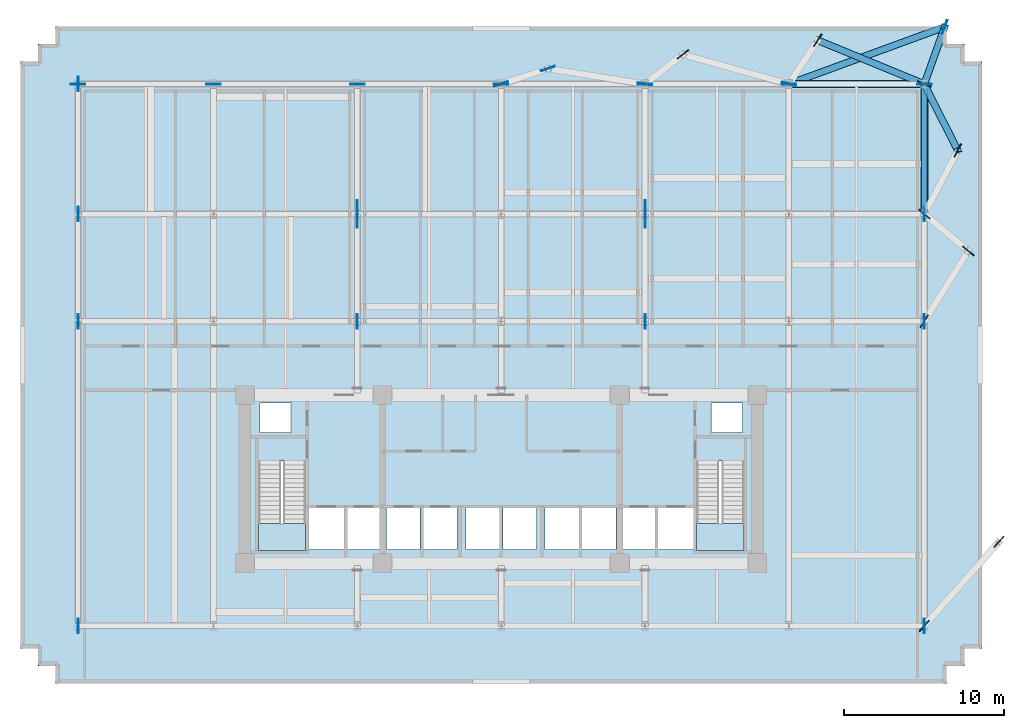
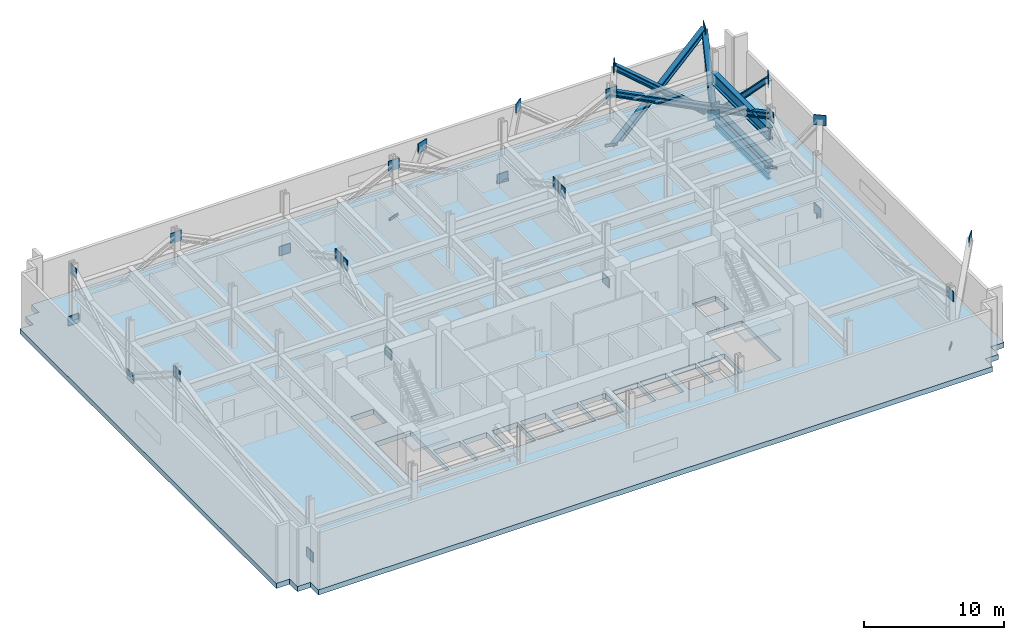
# One storey, part 4 of 9: 34 plates, 7 members, 3 slabs, 2 beams, 2 elements without a shape of their own.
"""IFC4 building model written with IfcOpenShell, lengths in metres."""

from ifc_helpers import new_model, si_unit, direction, frame, origin, origin_2d, place, context, subcontext, project, spatial, polyline, rectangle, i_section, outline, extrude, material, layer, layer_set, material_profile, profile_set, type_object, element, aggregate, save


model = new_model("IFC4")

# Units and contexts
model_context = context("Model", 3, precision=1e-05, world=origin(), true_north=direction((0.0, 1.0)))
body_context = subcontext(model_context, "Body", "Model", "MODEL_VIEW")
ifc_project = project(units=[si_unit("LENGTHUNIT", "METRE"), si_unit("AREAUNIT", "SQUARE_METRE"), si_unit("VOLUMEUNIT", "CUBIC_METRE"), si_unit("PLANEANGLEUNIT", "RADIAN"), si_unit("MASSUNIT", "GRAM", prefix="KILO")], contexts=[model_context])

# Site, building, storey
site_placement = place(None, origin())
site = spatial("IfcSite", under=ifc_project, at=site_placement, CompositionType="ELEMENT")
building_placement = place(site_placement, origin())
building = spatial("IfcBuilding", under=site, at=building_placement, Name="Solmavex Isthmus Hotel", CompositionType="ELEMENT")
storey_placement = place(building_placement, frame((0.0, 0.0, 74.699951171875)))
storey = spatial("IfcBuildingStorey", under=building, at=storey_placement, Name="L20", CompositionType="ELEMENT", Elevation=74.699951171875)

# Beams
ifc_material_1 = material(Name="Steel ASTM A992 Grade 50", Category="steel")
ifc_material_profile_1 = material_profile(ifc_material_1, i_section(OverallWidth=0.326416015625, OverallDepth=0.621826171875, WebThickness=0.015380859375, FlangeThickness=0.0244140625, FilletRadius=0.01513671875, at=origin_2d()), Name="W24X131")
ifc_profile_set_1 = profile_set([ifc_material_profile_1], Name="Steel ASTM A992 Grade 50")
beam_type_1 = type_object("IfcBeamType", Name="BM-SP-W24X131", PredefinedType="SPANDREL", material=ifc_profile_set_1)
beam_1_placement = place(storey_placement, frame((26.39990234375, 8.96533203125, -0.7607421875), z_axis=(0.0, 1.0, 0.0), x_axis=(-1.0, 0.0, 0.0)))
element("IfcBeam", 1, at=beam_1_placement, inside=storey, type_object=beam_type_1, Name="Floor Beam L20-VG48", PredefinedType="SPANDREL", context=body_context, shape_type="SweptSolid", body=[
    extrude(i_section(OverallWidth=0.326416015625, OverallDepth=0.621826171875, WebThickness=0.015380859375, FlangeThickness=0.0244140625, FilletRadius=0.01513671875, at=origin_2d()), origin(), (0.0, 0.0, 1.0), 7.771484375),
])
ifc_material_2 = material(Name="Steel ASTM A913 Grade 65", Category="steel")
ifc_material_profile_2 = material_profile(ifc_material_2, i_section(OverallWidth=0.409423828125, OverallDepth=1.036376953125, WebThickness=0.031005859375, FlangeThickness=0.055908203125, FilletRadius=0.030517578125, at=origin_2d()), Name="W40X397")
ifc_profile_set_2 = profile_set([ifc_material_profile_2], Name="Steel ASTM A913 Grade 65")
beam_type_2 = type_object("IfcBeamType", Name="BM-TB-W40X397B", PredefinedType="BEAM", material=ifc_profile_set_2)
beam_2_placement = place(storey_placement, frame((26.39990234375, 8.7880859375, 3.052001953125), z_axis=(0.0, 1.0, 0.0), x_axis=(-1.0, 0.0, 0.0)))
element("IfcBeam", 2, at=beam_2_placement, inside=storey, type_object=beam_type_2, Name="Horizontal Transfer Carrier Girder L20-XLC24", PredefinedType="BEAM", context=body_context, shape_type="SweptSolid", body=[
    extrude(i_section(OverallWidth=0.409423828125, OverallDepth=1.036376953125, WebThickness=0.031005859375, FlangeThickness=0.055908203125, FilletRadius=0.030517578125, at=origin_2d()), origin(), (0.0, 0.0, 1.0), 8.11181640625),
])

# Members
ifc_material_profile_3 = material_profile(ifc_material_2, i_section(OverallWidth=0.412109375, OverallDepth=0.434814453125, WebThickness=0.035888671875, FlangeThickness=0.057373046875, FilletRadius=0.030517578125, at=origin_2d()), Name="W14X311")
ifc_profile_set_3 = profile_set([ifc_material_profile_3], Name="Steel ASTM A913 Grade 65")
member_type_1 = type_object("IfcMemberType", Name="MEM-TC-W14X311", PredefinedType="CHORD", material=ifc_profile_set_3)
member_1_placement = place(storey_placement, frame((26.39990234375, 8.7880859375, 0.35009765625), z_axis=(0.0, 1.0, 0.0), x_axis=(-1.0, 0.0, 0.0)))
element("IfcMember", 3, at=member_1_placement, inside=storey, type_object=member_type_1, Name="Outrigger and Belt Transfer Truss Bottom Chord BT-L20-E-12", PredefinedType="CHORD", context=body_context, shape_type="SweptSolid", body=[
    extrude(i_section(OverallWidth=0.412109375, OverallDepth=0.434814453125, WebThickness=0.035888671875, FlangeThickness=0.057373046875, FilletRadius=0.030517578125, at=origin_2d()), origin(), (0.0, 0.0, 1.0), 8.11181640625),
])
ifc_material_profile_4 = material_profile(ifc_material_2, i_section(OverallWidth=0.41845703125, OverallDepth=0.455078125, WebThickness=0.0419921875, FlangeThickness=0.067626953125, FilletRadius=0.030517578125, at=origin_2d()), Name="W14X370")
ifc_profile_set_4 = profile_set([ifc_material_profile_4], Name="Steel ASTM A913 Grade 65")
member_type_2 = type_object("IfcMemberType", Name="MEM-TM-W14X370", PredefinedType="BRACE", material=ifc_profile_set_4)
member_2_placement = place(storey_placement, frame((26.39990234375, 16.89990234375, -0.25), z_axis=(-0.764280924418, 0.313985788653, 0.563282871296), x_axis=(-0.380006560306, -0.924983791277, 0.0)))
element("IfcMember", 4, at=member_2_placement, inside=storey, type_object=member_type_2, Name="Perimeter Facade Transfer Bracket L20-FBR06", PredefinedType="BRACE", context=body_context, shape_type="SweptSolid", body=[
    extrude(i_section(OverallWidth=0.41845703125, OverallDepth=0.455078125, WebThickness=0.0419921875, FlangeThickness=0.067626953125, FilletRadius=0.030517578125, at=origin_2d()), origin(), (0.0, 0.0, 1.0), 8.69921875),
])
member_3_placement = place(storey_placement, frame((26.39990234375, 16.89990234375, -0.25), z_axis=(0.309084489235, -0.614225835993, 0.726080850121), x_axis=(0.893277336052, 0.449505952013, 0.0)))
element("IfcMember", 5, at=member_3_placement, inside=storey, type_object=member_type_2, Name="Perimeter Facade Transfer Bracket L20-FBR11", PredefinedType="BRACE", context=body_context, shape_type="SweptSolid", body=[
    extrude(i_section(OverallWidth=0.41845703125, OverallDepth=0.455078125, WebThickness=0.0419921875, FlangeThickness=0.067626953125, FilletRadius=0.030517578125, at=origin_2d()), origin(), (0.0, 0.0, 1.0), 6.748779296875),
])
member_4_placement = place(storey_placement, frame((26.39990234375, 16.89990234375, -0.25), z_axis=(0.206004926549, 0.57563099093, 0.791334905409), x_axis=(-0.941522862002, 0.336949106436, 0.0)))
element("IfcMember", 6, at=member_4_placement, inside=storey, type_object=member_type_2, Name="Perimeter Facade Transfer Bracket L20-FBR12", PredefinedType="BRACE", context=body_context, shape_type="SweptSolid", body=[
    extrude(i_section(OverallWidth=0.41845703125, OverallDepth=0.455078125, WebThickness=0.0419921875, FlangeThickness=0.067626953125, FilletRadius=0.030517578125, at=origin_2d()), origin(), (0.0, 0.0, 1.0), 6.192138671875),
])
member_5_placement = place(storey_placement, frame((17.951904296875, 16.89990234375, -0.25), z_axis=(0.84869718376, 0.311112254768, 0.427694114072), x_axis=(-0.344179839412, 0.938903742746, 0.0)))
element("IfcMember", 7, at=member_5_placement, inside=storey, type_object=member_type_2, Name="Perimeter Facade Transfer Bracket L20-FBR13", PredefinedType="BRACE", context=body_context, shape_type="SweptSolid", body=[
    extrude(i_section(OverallWidth=0.41845703125, OverallDepth=0.455078125, WebThickness=0.0419921875, FlangeThickness=0.067626953125, FilletRadius=0.030517578125, at=origin_2d()), origin(), (0.0, 0.0, 1.0), 11.45703125),
])
ifc_material_profile_5 = material_profile(ifc_material_2, i_section(OverallWidth=0.43212890625, OverallDepth=0.497802734375, WebThickness=0.0556640625, FlangeThickness=0.0888671875, FilletRadius=0.030517578125, at=origin_2d()), Name="W14X500")
ifc_profile_set_5 = profile_set([ifc_material_profile_5], Name="Steel ASTM A913 Grade 65")
member_type_3 = type_object("IfcMemberType", Name="MEM-TM-W14X500", PredefinedType="BRACE", material=ifc_profile_set_5)
member_6_placement = place(storey_placement, frame((17.951904296875, 16.89990234375, 4.650146484375), z_axis=(0.891195109173, 0.0, -0.453620190673), x_axis=(0.0, 1.0, 0.0)))
element("IfcMember", 8, at=member_6_placement, inside=storey, type_object=member_type_3, Name="Outrigger and Belt Transfer Truss Diagonal Brace BT-L20-N-06", PredefinedType="BRACE", context=body_context, shape_type="SweptSolid", body=[
    extrude(i_section(OverallWidth=0.43212890625, OverallDepth=0.497802734375, WebThickness=0.0556640625, FlangeThickness=0.0888671875, FilletRadius=0.030517578125, at=origin_2d()), origin(), (0.0, 0.0, 1.0), 9.4794921875),
])
member_7_placement = place(storey_placement, frame((26.39990234375, 8.7880859375, 4.650146484375), z_axis=(0.0, 0.883537468071, -0.468360483511), x_axis=(-1.0, 0.0, 0.0)))
element("IfcMember", 9, at=member_7_placement, inside=storey, type_object=member_type_3, Name="Outrigger and Belt Transfer Truss Diagonal Brace BT-L20-E-12", PredefinedType="BRACE", context=body_context, shape_type="SweptSolid", body=[
    extrude(i_section(OverallWidth=0.43212890625, OverallDepth=0.497802734375, WebThickness=0.0556640625, FlangeThickness=0.0888671875, FilletRadius=0.030517578125, at=origin_2d()), origin(), (0.0, 0.0, 1.0), 9.18115234375),
])

# Plates
ifc_material_3 = material(Name="Steel ASTM A572 Grade 50", Category="steel")
ifc_layer_1 = layer(ifc_material_3, 0.06005859375)
ifc_layer_set_1 = layer_set([ifc_layer_1], Name="Steel ASTM A572 Grade 50")
plate_type = type_object("IfcPlateType", Name="PLT-GUSSET-60", PredefinedType="USERDEFINED", material=ifc_layer_set_1)
for number, where, z_axis, x_axis, name in (
    (10, (0.0, 16.89990234375, -0.699951171875), (0.0, 0.0, 1.0), (0.94956786514, 0.313561588038, 0.0), "Perimeter Bracket Gusset Plate L20 001"),
    (11, (2.911865234375, 17.861572265625, 4.2001953125), (0.0, 0.0, 1.0), (0.94956786514, 0.313561588038, 0.0), "Perimeter Bracket Gusset Plate L20 002"),
    (12, (8.97607421875, 16.89990234375, -0.699951171875), (0.0, 0.0, 1.0), (-0.987661022587, 0.156606846792, 0.0), "Perimeter Bracket Gusset Plate L20 003"),
    (13, (11.33154296875, 18.74658203125, 4.2001953125), (0.0, 0.0, 1.0), (0.787010401242, 0.616939728286, 0.0), "Perimeter Bracket Gusset Plate L20 004"),
    (14, (17.951904296875, 16.89990234375, -0.699951171875), (0.0, 0.0, 1.0), (-0.963237625823, 0.268650844405, 0.0), "Perimeter Bracket Gusset Plate L20 005"),
    (15, (19.751220703125, 19.63134765625, 4.2001953125), (0.0, 0.0, 1.0), (0.550072690737, 0.835116779202, 0.0), "Perimeter Bracket Gusset Plate L20 006"),
    (16, (26.39990234375, 16.89990234375, -0.699951171875), (0.0, 0.0, 1.0), (-0.92499101388, 0.379988979105, 0.0), "Perimeter Bracket Gusset Plate L20 007"),
    (17, (26.39990234375, -16.89990234375, -0.699951171875), (0.0, 0.0, 1.0), (0.663795687153, 0.747913956092, 0.0), "Perimeter Bracket Gusset Plate L20 008"),
    (18, (31.0517578125, -11.65869140625, 4.2001953125), (0.0, 0.0, 1.0), (0.663795687153, 0.747913956092, 0.0), "Perimeter Bracket Gusset Plate L20 009"),
    (19, (26.39990234375, 8.7880859375, -0.699951171875), (0.0, 0.0, 1.0), (0.766840386728, -0.641837846565, 0.0), "Perimeter Bracket Gusset Plate L20 010"),
    (20, (29.14404296875, 6.4912109375, 4.2001953125), (0.0, 0.0, 1.0), (0.766840386728, -0.641837846565, 0.0), "Perimeter Bracket Gusset Plate L20 011"),
    (21, (26.39990234375, 2.10009765625, -0.699951171875), (0.0, 0.0, 1.0), (0.529934065384, 0.848038847191, 0.0), "Perimeter Bracket Gusset Plate L20 012"),
    (22, (28.48583984375, 12.754638671875, 4.2001953125), (0.0, 0.0, 1.0), (0.465398263154, 0.885101382133, 0.0), "Perimeter Bracket Gusset Plate L20 013"),
    (23, (27.675537109375, 20.46435546875, 4.2001953125), (0.0, 0.0, 1.0), (0.336914502843, 0.941535245105, 0.0), "Perimeter Bracket Gusset Plate L20 014"),
    (24, (-26.39990234375, 16.89990234375, -0.099853515625), (0.0, 0.0, 1.0), (1.0, 0.0, 0.0), "Outrigger and Belt Transfer Truss Node Gusset Plate L20 001"),
    (25, (-17.951904296875, 16.89990234375, 4.2001953125), (0.0, 0.0, 1.0), (1.0, 0.0, 0.0), "Outrigger and Belt Transfer Truss Node Gusset Plate L20 002"),
    (26, (-8.97607421875, 16.89990234375, -0.099853515625), (0.0, 0.0, 1.0), (1.0, 0.0, 0.0), "Outrigger and Belt Transfer Truss Node Gusset Plate L20 003"),
    (27, (0.0, 16.89990234375, 4.2001953125), (0.0, 0.0, 1.0), (1.0, 0.0, 0.0), "Outrigger and Belt Transfer Truss Node Gusset Plate L20 004"),
    (28, (8.97607421875, 16.89990234375, -0.099853515625), (0.0, 0.0, 1.0), (1.0, 0.0, 0.0), "Outrigger and Belt Transfer Truss Node Gusset Plate L20 005"),
    (29, (17.951904296875, 16.89990234375, 4.2001953125), (0.0, 0.0, 1.0), (1.0, 0.0, 0.0), "Outrigger and Belt Transfer Truss Node Gusset Plate L20 006"),
    (30, (26.39990234375, 16.89990234375, -0.099853515625), (0.0, 0.0, 1.0), (1.0, 0.0, 0.0), "Outrigger and Belt Transfer Truss Node Gusset Plate L20 007"),
    (31, (-26.39990234375, -16.89990234375, -0.099853515625), (0.0, 0.0, 1.0), (0.0, 1.0, 0.0), "Outrigger and Belt Transfer Truss Node Gusset Plate L20 008"),
    (32, (-26.39990234375, 2.10009765625, 4.2001953125), (0.0, 0.0, 1.0), (0.0, 1.0, 0.0), "Outrigger and Belt Transfer Truss Node Gusset Plate L20 009"),
    (33, (-26.39990234375, 8.7880859375, -0.099853515625), (0.0, 0.0, 1.0), (0.0, 1.0, 0.0), "Outrigger and Belt Transfer Truss Node Gusset Plate L20 010"),
    (34, (-26.39990234375, 16.89990234375, 4.2001953125), (0.0, 0.0, 1.0), (0.0, 1.0, 0.0), "Outrigger and Belt Transfer Truss Node Gusset Plate L20 011"),
    (35, (26.39990234375, -16.89990234375, 4.2001953125), (0.0, 0.0, 1.0), (0.0, 1.0, 0.0), "Outrigger and Belt Transfer Truss Node Gusset Plate L20 012"),
    (36, (26.39990234375, 2.10009765625, -0.099853515625), (0.0, 0.0, 1.0), (0.0, 1.0, 0.0), "Outrigger and Belt Transfer Truss Node Gusset Plate L20 013"),
    (37, (26.39990234375, 8.7880859375, 4.2001953125), (0.0, 0.0, 1.0), (0.0, 1.0, 0.0), "Outrigger and Belt Transfer Truss Node Gusset Plate L20 014"),
    (38, (-8.97607421875, 2.10009765625, -0.099853515625), (0.0, 0.0, 1.0), (0.0, 1.0, 0.0), "Outrigger and Belt Transfer Truss Node Gusset Plate L20 015"),
    (39, (-8.97607421875, 8.401123046875, 3.951416015625), (0.0, 0.0, 1.0), (0.0, 1.0, 0.0), "Outrigger and Belt Transfer Truss Node Gusset Plate L20 016"),
    (40, (-8.97607421875, 9.1943359375, 3.984619140625), (0.0, 0.0, 1.0), (0.0, 1.0, 0.0), "Outrigger and Belt Transfer Truss Node Gusset Plate L20 017"),
    (41, (8.97607421875, 2.10009765625, -0.099853515625), (0.0, 0.0, 1.0), (0.0, 1.0, 0.0), "Outrigger and Belt Transfer Truss Node Gusset Plate L20 018"),
    (42, (8.97607421875, 8.401123046875, 3.951416015625), (0.0, 0.0, 1.0), (0.0, 1.0, 0.0), "Outrigger and Belt Transfer Truss Node Gusset Plate L20 019"),
    (43, (8.97607421875, 9.1943359375, 3.984619140625), (0.0, 0.0, 1.0), (0.0, 1.0, 0.0), "Outrigger and Belt Transfer Truss Node Gusset Plate L20 020"),
):
    element("IfcPlate", number, at=place(storey_placement, frame(where, z_axis=z_axis, x_axis=x_axis)), inside=storey, type_object=plate_type, Name=name, ObjectType="GUSSET_PLATE", PredefinedType="USERDEFINED", context=body_context, shape_type="SweptSolid", body=[
        extrude(rectangle(XDim=0.89990234375, YDim=0.06005859375, at=origin_2d()), origin(), (0.0, 0.0, 1.0), 0.89990234375),
    ])

# Slab
ifc_material_4 = material(Name="Concrete C50/60", Category="concrete")
ifc_layer_2 = layer(ifc_material_4, 0.449951171875)
ifc_layer_set_2 = layer_set([ifc_layer_2], Name="Concrete C50/60")
slab_type_1 = type_object("IfcSlabType", Name="SLAB-XFER-360", PredefinedType="FLOOR", material=ifc_layer_set_2)
slab_1_placement = place(storey_placement, frame((0.0, 0.0, -0.449951171875)))
element("IfcSlab", 44, at=slab_1_placement, inside=storey, type_object=slab_type_1, Name="Tower Structural Floor Slab L20", PredefinedType="FLOOR", context=body_context, shape_type="SweptSolid", body=[
    extrude(outline(polyline([(-26.699951171875, -20.5), (26.699951171875, -20.5), (27.800048828125, -20.5), (27.800048828125, -19.39990234375), (28.89990234375, -19.39990234375), (28.89990234375, -18.300048828125), (30.0, -18.300048828125), (30.0, -17.199951171875), (30.0, 17.199951171875), (30.0, 18.300048828125), (28.89990234375, 18.300048828125), (28.89990234375, 19.39990234375), (27.800048828125, 19.39990234375), (27.800048828125, 20.5), (26.699951171875, 20.5), (-26.699951171875, 20.5), (-27.800048828125, 20.5), (-27.800048828125, 19.39990234375), (-28.89990234375, 19.39990234375), (-28.89990234375, 18.300048828125), (-30.0, 18.300048828125), (-30.0, 17.199951171875), (-30.0, -17.199951171875), (-30.0, -18.300048828125), (-28.89990234375, -18.300048828125), (-28.89990234375, -19.39990234375), (-27.800048828125, -19.39990234375), (-27.800048828125, -20.5), (-26.699951171875, -20.5)]), holes=[polyline([(-15.14990234375, -6.617919921875), (-15.14990234375, -12.199951171875), (-12.199951171875, -12.199951171875), (-12.199951171875, -6.617919921875), (-15.14990234375, -6.617919921875)]), polyline([(12.199951171875, -6.617919921875), (12.199951171875, -12.199951171875), (15.14990234375, -12.199951171875), (15.14990234375, -6.617919921875), (12.199951171875, -6.617919921875)]), polyline([(-12.0, -12.14990234375), (-9.800048828125, -12.14990234375), (-9.800048828125, -9.550048828125), (-12.0, -9.550048828125), (-12.0, -12.14990234375)]), polyline([(9.800048828125, -12.14990234375), (12.0, -12.14990234375), (12.0, -9.550048828125), (9.800048828125, -9.550048828125), (9.800048828125, -12.14990234375)]), polyline([(-9.60009765625, -12.14990234375), (-7.60009765625, -12.14990234375), (-7.60009765625, -9.550048828125), (-9.60009765625, -9.550048828125), (-9.60009765625, -12.14990234375)]), polyline([(7.60009765625, -12.14990234375), (9.60009765625, -12.14990234375), (9.60009765625, -9.550048828125), (7.60009765625, -9.550048828125), (7.60009765625, -12.14990234375)]), polyline([(-7.14990234375, -12.14990234375), (-5.050048828125, -12.14990234375), (-5.050048828125, -9.550048828125), (-7.14990234375, -9.550048828125), (-7.14990234375, -12.14990234375)]), polyline([(-4.85009765625, -12.14990234375), (-2.75, -12.14990234375), (-2.75, -9.550048828125), (-4.85009765625, -9.550048828125), (-4.85009765625, -12.14990234375)]), polyline([(-2.199951171875, -12.14990234375), (-0.10009765625, -12.14990234375), (-0.10009765625, -9.550048828125), (-2.199951171875, -9.550048828125), (-2.199951171875, -12.14990234375)]), polyline([(0.10009765625, -12.14990234375), (2.199951171875, -12.14990234375), (2.199951171875, -9.550048828125), (0.10009765625, -9.550048828125), (0.10009765625, -12.14990234375)]), polyline([(2.75, -12.14990234375), (4.85009765625, -12.14990234375), (4.85009765625, -9.550048828125), (2.75, -9.550048828125), (2.75, -12.14990234375)]), polyline([(5.050048828125, -12.14990234375), (7.14990234375, -12.14990234375), (7.14990234375, -9.550048828125), (5.050048828125, -9.550048828125), (5.050048828125, -12.14990234375)]), polyline([(-15.050048828125, -4.85009765625), (-13.14990234375, -4.85009765625), (-13.14990234375, -3.0), (-15.050048828125, -3.0), (-15.050048828125, -4.85009765625)]), polyline([(13.14990234375, -4.85009765625), (15.050048828125, -4.85009765625), (15.050048828125, -3.0), (13.14990234375, -3.0), (13.14990234375, -4.85009765625)])]), origin(), (0.0, 0.0, 1.0), 0.449951171875),
])

# Stair, slab
ifc_material_5 = material(Name="Concrete C40/50", Category="concrete")
stair_type_1 = type_object("IfcStairType", Name="STR-ST-1", PredefinedType="HALF_TURN_STAIR", material=ifc_material_5)
stair_1_placement = place(storey_placement, origin())
stair_1 = element("IfcStair", 45, at=stair_1_placement, inside=storey, type_object=stair_type_1, Name="L20 Protected Exit Stair ST-1", PredefinedType="HALF_TURN_STAIR")
ifc_layer_3 = layer(ifc_material_5, 0.219970703125)
ifc_layer_set_3 = layer_set([ifc_layer_3], Name="Concrete C40/50")
slab_type_2 = type_object("IfcSlabType", Name="SLD-ST-1", PredefinedType="LANDING", material=ifc_layer_set_3)
slab_2_placement = place(storey_placement, frame((0.0, 0.0, 2.5)))
slab_2 = element("IfcSlab", 46, at=slab_2_placement, type_object=slab_type_2, Name="ST-1 landing 1", PredefinedType="LANDING", context=body_context, shape_type="SweptSolid", body=[
    extrude(outline(polyline([(-15.14990234375, -10.52001953125), (-15.14990234375, -12.199951171875), (-12.199951171875, -12.199951171875), (-12.199951171875, -10.52001953125), (-15.14990234375, -10.52001953125)])), origin(), (0.0, 0.0, 1.0), 0.199951171875),
])
aggregate(stair_1, [slab_2])

stair_type_2 = type_object("IfcStairType", Name="STR-ST-2", PredefinedType="HALF_TURN_STAIR", material=ifc_material_5)
stair_2_placement = place(storey_placement, origin())
stair_2 = element("IfcStair", 47, at=stair_2_placement, inside=storey, type_object=stair_type_2, Name="L20 Protected Exit Stair ST-2", PredefinedType="HALF_TURN_STAIR")
ifc_layer_4 = layer(ifc_material_5, 0.219970703125)
ifc_layer_set_4 = layer_set([ifc_layer_4], Name="Concrete C40/50")
slab_type_3 = type_object("IfcSlabType", Name="SLD-ST-2", PredefinedType="LANDING", material=ifc_layer_set_4)
slab_3_placement = place(storey_placement, frame((0.0, 0.0, 2.5)))
slab_3 = element("IfcSlab", 48, at=slab_3_placement, type_object=slab_type_3, Name="ST-2 landing 1", PredefinedType="LANDING", context=body_context, shape_type="SweptSolid", body=[
    extrude(outline(polyline([(12.199951171875, -10.52001953125), (12.199951171875, -12.199951171875), (15.14990234375, -12.199951171875), (15.14990234375, -10.52001953125), (12.199951171875, -10.52001953125)])), origin(), (0.0, 0.0, 1.0), 0.199951171875),
])
aggregate(stair_2, [slab_3])

save(model, "model.ifc")
